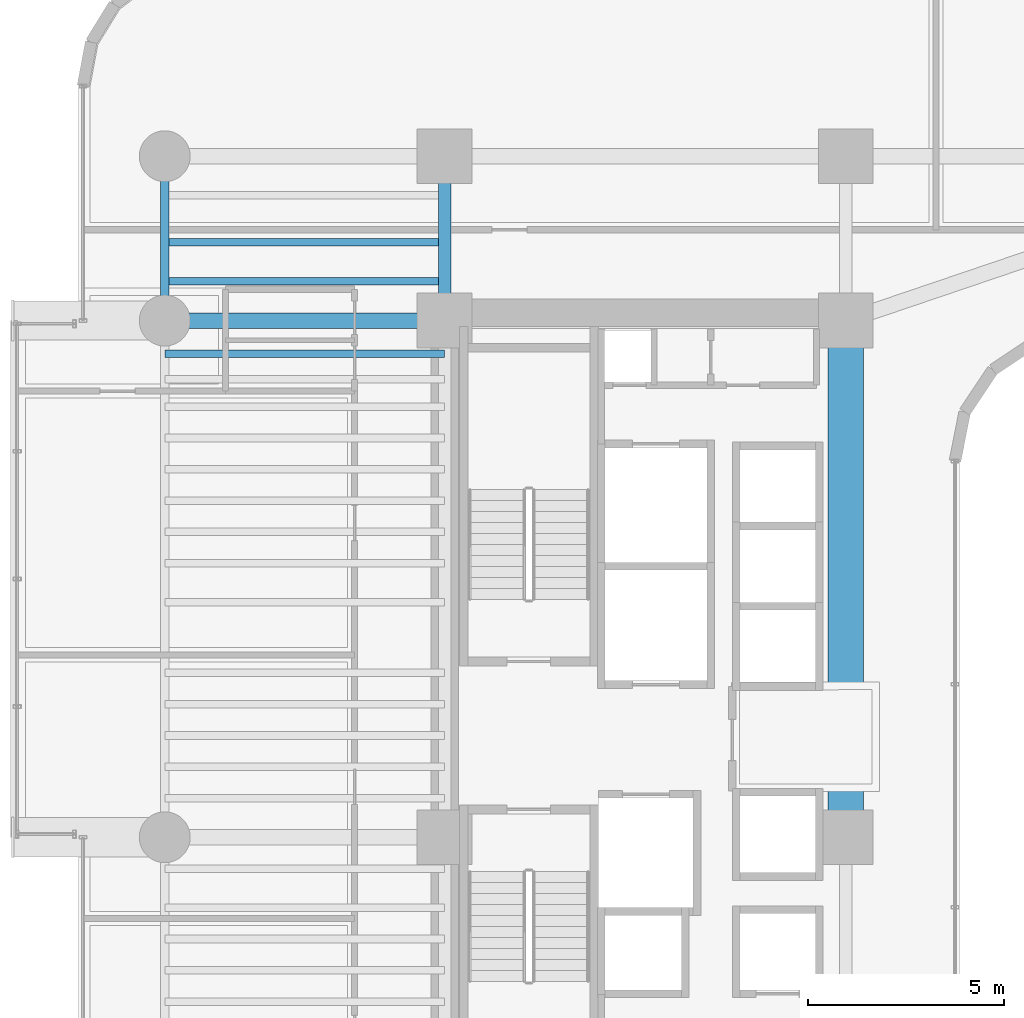
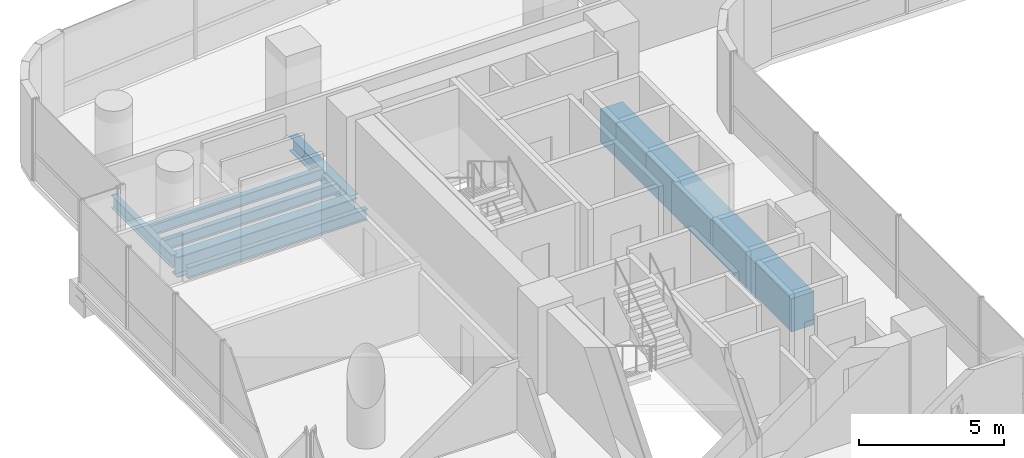
# One storey, part 9 of 39: 7 beams.
"""IFC4 building model written with IfcOpenShell, lengths in metres."""

import ifcopenshell
import ifcopenshell.guid

model = None  # the IFC model being written
_history = None  # IfcOwnerHistory: only IFC2X3 demands one
_inside = {}  # id of a spatial element -> (the spatial element, [elements in it])
_under = {}  # id of a project, library or spatial element -> (it, [spatial elements below it])
_declared = {}  # id of a project -> (the project, [libraries it declares])
_typed = {}  # id of a type object -> (the type object, [elements of that type])
_made_of = {}  # id of a material, layer set ... -> (it, [elements and type objects made of it])


def new_model(schema):
    """Start an empty IFC model of exactly this schema.

    Asked for "IFC4X3", IfcOpenShell would pick the latest addendum, in which some entities
    have other attributes; the version numbers below select the first issue.
    IFC2X3 requires an IfcOwnerHistory on every rooted entity: one is made here for all.
    """
    global model, _history
    if schema == "IFC4X3":
        model = ifcopenshell.file(schema_version=(4, 3, 0, 0))
    else:
        model = ifcopenshell.file(schema=schema)
    _inside.clear()
    _under.clear()
    _declared.clear()
    _typed.clear()
    _made_of.clear()
    _history = None
    if model.schema == "IFC2X3":
        org = make("IfcOrganization", Name="unknown")
        user = make(
            "IfcPersonAndOrganization",
            ThePerson=make("IfcPerson", FamilyName="unknown"),
            TheOrganization=org,
        )
        app = make(
            "IfcApplication",
            ApplicationDeveloper=org,
            Version="unknown",
            ApplicationFullName="unknown",
            ApplicationIdentifier="unknown",
        )
        _history = make(
            "IfcOwnerHistory",
            OwningUser=user,
            OwningApplication=app,
            ChangeAction="ADDED",
            CreationDate=0,
        )
    return model


def make(cls, **values):
    """One entity of the class cls with the attributes given. An attribute that is None is left unset."""
    return model.create_entity(
        cls, **{name: value for name, value in values.items() if value is not None}
    )


def rooted(cls, **values):
    """An entity with a GlobalId (a new one), such as an element, a storey or a relation."""
    return make(cls, GlobalId=ifcopenshell.guid.new(), OwnerHistory=_history, **values)


def si_unit(unit_type, name, prefix=None):
    """IfcSIUnit, for example si_unit("LENGTHUNIT", "METRE", prefix="MILLI")."""
    return make("IfcSIUnit", UnitType=unit_type, Prefix=prefix, Name=name)


def assignment(units):
    """IfcUnitAssignment: the units of a project."""
    return None if units is None else make("IfcUnitAssignment", Units=units)


def point(xyz):
    """IfcCartesianPoint."""
    return None if xyz is None else make("IfcCartesianPoint", Coordinates=xyz)


def direction(xyz):
    """IfcDirection."""
    return None if xyz is None else make("IfcDirection", DirectionRatios=xyz)


def frame(location, z_axis=None, x_axis=None):
    """IfcAxis2Placement3D, a coordinate frame: its origin and axes. An axis left out is left unset."""
    return make(
        "IfcAxis2Placement3D",
        Location=point(location),
        Axis=direction(z_axis),
        RefDirection=direction(x_axis),
    )


def frame_2d(location, x_axis=None):
    """IfcAxis2Placement2D, a coordinate frame in the plane: its origin and x axis."""
    return make(
        "IfcAxis2Placement2D", Location=point(location), RefDirection=direction(x_axis)
    )


def origin():
    """The frame at (0, 0, 0) with its axes left unset."""
    return frame((0.0, 0.0, 0.0))


def origin_2d():
    """The frame at (0, 0) in the plane with its x axis left unset."""
    return frame_2d((0.0, 0.0))


def place(relative_to, where):
    """IfcLocalPlacement: puts the frame where relative to a parent placement (None: the world)."""
    return make(
        "IfcLocalPlacement", PlacementRelTo=relative_to, RelativePlacement=where
    )


def context(
    kind, dimensions, precision=None, world=None, true_north=None, identifier=None
):
    """IfcGeometricRepresentationContext, for example the 3D "Model" context."""
    return make(
        "IfcGeometricRepresentationContext",
        ContextIdentifier=identifier,
        ContextType=kind,
        CoordinateSpaceDimension=dimensions,
        Precision=precision,
        WorldCoordinateSystem=world,
        TrueNorth=true_north,
    )


def subcontext(parent, identifier, kind, view, scale=None):
    """IfcGeometricRepresentationSubContext, for example "Body" below "Model"."""
    return make(
        "IfcGeometricRepresentationSubContext",
        ContextIdentifier=identifier,
        ContextType=kind,
        ParentContext=parent,
        TargetScale=scale,
        TargetView=view,
    )


def project(units=None, contexts=None):
    """IfcProject with its units and contexts."""
    return rooted(
        "IfcProject",
        Name="project",
        RepresentationContexts=contexts,
        UnitsInContext=assignment(units),
    )


def spatial(cls, under=None, at=None, **own):
    """A site, building, storey or space (cls), placed at a placement, below another one or the project."""
    s = rooted(cls, ObjectPlacement=at, **own)
    if under is not None:
        _under.setdefault(under.id(), (under, []))[1].append(s)
    return s


def profile(cls, at=None, kind="AREA", **sizes):
    """A parametric profile (cls). Its sizes go by their IFC names, for example OverallWidth=200.0."""
    return make(cls, ProfileType=kind, Position=at, **sizes)


def rectangle(**sizes):
    """IfcRectangleProfileDef."""
    return profile("IfcRectangleProfileDef", **sizes)


def i_section(**sizes):
    """IfcIShapeProfileDef."""
    return profile("IfcIShapeProfileDef", **sizes)


def extrude(swept, where, along, depth):
    """IfcExtrudedAreaSolid: the profile swept, set in the frame where, extruded along a direction by depth."""
    return make(
        "IfcExtrudedAreaSolid",
        SweptArea=swept,
        Position=where,
        ExtrudedDirection=direction(along),
        Depth=depth,
    )


def shape(context_of_items, identifier, shape_type, items):
    """IfcShapeRepresentation: the items that make up one representation, for example the "Body"."""
    return make(
        "IfcShapeRepresentation",
        ContextOfItems=context_of_items,
        RepresentationIdentifier=identifier,
        RepresentationType=shape_type,
        Items=items,
    )


def source(mapping_origin, context_of_items, identifier, shape_type, items):
    """IfcRepresentationMap: a shape defined once, which mapped items show again and again."""
    return make(
        "IfcRepresentationMap",
        MappingOrigin=mapping_origin,
        MappedRepresentation=shape(context_of_items, identifier, shape_type, items),
    )


def transform(
    local_origin,
    x_axis=None,
    y_axis=None,
    z_axis=None,
    scale=None,
    scale2=None,
    scale3=None,
    uniform=True,
):
    """IfcCartesianTransformationOperator3D, or its non-uniform kind. x_axis, y_axis, z_axis: its Axis1, 2, 3."""
    if uniform:
        return make(
            "IfcCartesianTransformationOperator3D",
            Axis1=direction(x_axis),
            Axis2=direction(y_axis),
            LocalOrigin=point(local_origin),
            Scale=scale,
            Axis3=direction(z_axis),
        )
    return make(
        "IfcCartesianTransformationOperator3DnonUniform",
        Axis1=direction(x_axis),
        Axis2=direction(y_axis),
        LocalOrigin=point(local_origin),
        Scale=scale,
        Axis3=direction(z_axis),
        Scale2=scale2,
        Scale3=scale3,
    )


def mapped(mapping_source, mapping_target):
    """IfcMappedItem: shows the shape of a source again, moved by a transform."""
    return make(
        "IfcMappedItem", MappingSource=mapping_source, MappingTarget=mapping_target
    )


def material(Name=None, Category=None):
    """IfcMaterial."""
    return make("IfcMaterial", Name=Name, Category=Category)


def material_profile(
    of_material, cross_section, Name=None, Category=None, Priority=None
):
    """IfcMaterialProfile: a cross section and its material."""
    return make(
        "IfcMaterialProfile",
        Name=Name,
        Material=of_material,
        Profile=cross_section,
        Priority=Priority,
        Category=Category,
    )


def profile_set(profiles, Name=None, composite=None):
    """IfcMaterialProfileSet."""
    return make(
        "IfcMaterialProfileSet",
        Name=Name,
        MaterialProfiles=profiles,
        CompositeProfile=composite,
    )


def made_of(thing, what):
    """Note that an element or type object is made of a material, layer set ...; save() writes the relation."""
    if what is not None:
        _made_of.setdefault(what.id(), (what, []))[1].append(thing)
    return thing


def type_object(cls, material=None, **own):
    """A type object (cls), such as IfcWallType, which elements share."""
    return made_of(rooted(cls, **own), material)


def element(
    cls,
    number,
    at=None,
    inside=None,
    cuts=None,
    type_object=None,
    material=None,
    context=None,
    identifier="Body",
    shape_type=None,
    held_by="IfcProductDefinitionShape",
    body=None,
    shapes=None,
    **own,
):
    """One element of the class cls, such as IfcWall. Its Tag is "e" and its number.

    at: its placement. inside: the storey or other place that contains it. cuts: it is an
    opening in that element (IfcRelVoidsElement). A single representation is given by context,
    identifier, shape_type and body (its items); several are given by shapes. held_by: the class
    of the entity that holds the representations. save() writes the other relations.
    """
    e = rooted(cls, Tag="e%d" % number, ObjectPlacement=at, **own)
    if body is not None:
        shapes = [shape(context, identifier, shape_type, body)]
    if shapes is not None:
        e.Representation = make(held_by, Representations=shapes)
    if inside is not None:
        _inside.setdefault(inside.id(), (inside, []))[1].append(e)
    if cuts is not None:
        rooted(
            "IfcRelVoidsElement", RelatingBuildingElement=cuts, RelatedOpeningElement=e
        )
    if type_object is not None:
        _typed.setdefault(type_object.id(), (type_object, []))[1].append(e)
    return made_of(e, material)


def aggregate(whole, parts):
    """IfcRelAggregates: a whole, such as a stair, and the parts it consists of."""
    return rooted("IfcRelAggregates", RelatingObject=whole, RelatedObjects=parts)


def save(model, path):
    """Write the relations noted so far, then the file.

    IfcRelAggregates (storeys below a building ...), IfcRelContainedInSpatialStructure (elements
    in a storey), IfcRelDefinesByType, IfcRelAssociatesMaterial and IfcRelDeclares: one each for
    every whole, place, type object, material and project.
    """
    for whole, parts in _under.values():
        aggregate(whole, parts)
    for where, things in _inside.values():
        rooted(
            "IfcRelContainedInSpatialStructure",
            RelatedElements=things,
            RelatingStructure=where,
        )
    for kind, things in _typed.values():
        rooted("IfcRelDefinesByType", RelatedObjects=things, RelatingType=kind)
    for what, things in _made_of.values():
        rooted("IfcRelAssociatesMaterial", RelatedObjects=things, RelatingMaterial=what)
    for by, libraries in _declared.values():
        rooted("IfcRelDeclares", RelatingContext=by, RelatedDefinitions=libraries)
    model.write(path)


model = new_model("IFC4")

# Units and contexts
model_context = context("Model", 3, precision=1e-05, world=origin(), true_north=direction((0.0, 1.0)))
body_context = subcontext(model_context, "Body", "Model", "MODEL_VIEW")
ifc_project = project(units=[si_unit("LENGTHUNIT", "METRE"), si_unit("AREAUNIT", "SQUARE_METRE"), si_unit("VOLUMEUNIT", "CUBIC_METRE"), si_unit("PLANEANGLEUNIT", "RADIAN"), si_unit("MASSUNIT", "GRAM", prefix="KILO")], contexts=[model_context])

# Site, building, storey
site_placement = place(None, origin())
site = spatial("IfcSite", under=ifc_project, at=site_placement, CompositionType="ELEMENT")
building_placement = place(site_placement, origin())
building = spatial("IfcBuilding", under=site, at=building_placement, Name="Valdorenza Pilgrim Sanctuary Tower", CompositionType="ELEMENT")
storey_placement = place(building_placement, frame((0.0, 0.0, 74.10009765625)))
storey = spatial("IfcBuildingStorey", under=building, at=storey_placement, Name="L18", CompositionType="ELEMENT", Elevation=74.10009765625)

# Beams
ifc_material_1 = material(Name="Concrete C60/75", Category="concrete")
ifc_material_profile_1 = material_profile(ifc_material_1, rectangle(XDim=0.89990234375, YDim=1.39990234375, at=origin_2d()), Name="RC 1400x900")
ifc_profile_set_1 = profile_set([ifc_material_profile_1], Name="Concrete C60/75")
beam_type_1 = type_object("IfcBeamType", Name="STR-BM-LNT-1400", PredefinedType="LINTEL", material=ifc_profile_set_1)
shared_shape_1 = source(origin(), body_context, "Body", "SweptSolid", [
    extrude(rectangle(XDim=0.89990234375, YDim=1.39990234375, at=origin_2d()), origin(), (0.0, 0.0, 1.0), 13.2001953125),
])
beam_1_placement = place(storey_placement, frame((-12.39990234375, -2.60009765625, -0.739990234375), z_axis=(0.0, 1.0, 0.0), x_axis=(-1.0, 0.0, 0.0)))
element("IfcBeam", 1, at=beam_1_placement, inside=storey, type_object=beam_type_1, Name="L18 Core A Coupling Lintel Girder", PredefinedType="LINTEL", context=body_context, shape_type="MappedRepresentation", body=[
    mapped(shared_shape_1, transform((0.0, 0.0, 0.0), x_axis=(1.0, 0.0, 0.0), y_axis=(0.0, 1.0, 0.0), z_axis=(0.0, 0.0, 1.0), scale=1.0)),
])
ifc_material_2 = material(Name="Steel ASTM A992 Grade 50", Category="steel")
ifc_material_profile_2 = material_profile(ifc_material_2, i_section(OverallWidth=0.214111328125, OverallDepth=0.549072265625, WebThickness=0.0146484375, FlangeThickness=0.023681640625, at=origin_2d()), Name="W21X93")
ifc_profile_set_2 = profile_set([ifc_material_profile_2], Name="Steel ASTM A992 Grade 50")
beam_type_2 = type_object("IfcBeamType", Name="STR-BM-SPN-W21A", PredefinedType="SPANDREL", material=ifc_profile_set_2)
shared_shape_2 = source(origin(), body_context, "Body", "SweptSolid", [
    extrude(i_section(OverallWidth=0.214111328125, OverallDepth=0.549072265625, WebThickness=0.0146484375, FlangeThickness=0.023681640625, at=origin_2d()), origin(), (0.0, 0.0, 1.0), 4.199951171875),
])
beam_2_placement = place(storey_placement, frame((-29.800048828125, 10.60009765625, -0.5146484375), z_axis=(0.0, 1.0, 0.0), x_axis=(-1.0, 0.0, 0.0)))
element("IfcBeam", 2, at=beam_2_placement, inside=storey, type_object=beam_type_2, Name="L18 Spandrel Beam WA-W-N1N2", PredefinedType="SPANDREL", context=body_context, shape_type="MappedRepresentation", body=[
    mapped(shared_shape_2, transform((0.0, 0.0, 0.0), x_axis=(1.0, 0.0, 0.0), y_axis=(0.0, 1.0, 0.0), z_axis=(0.0, 0.0, 1.0), scale=1.0)),
])
ifc_material_profile_3 = material_profile(ifc_material_2, i_section(OverallWidth=0.323974609375, OverallDepth=0.611083984375, WebThickness=0.0126953125, FlangeThickness=0.01904296875, at=origin_2d()), Name="W24X104")
ifc_profile_set_3 = profile_set([ifc_material_profile_3], Name="Steel ASTM A992 Grade 50")
beam_type_3 = type_object("IfcBeamType", Name="STR-BM-GRD-W24B", PredefinedType="BEAM", material=ifc_profile_set_3)
shared_shape_3 = source(origin(), body_context, "Body", "SweptSolid", [
    extrude(i_section(OverallWidth=0.323974609375, OverallDepth=0.611083984375, WebThickness=0.0126953125, FlangeThickness=0.01904296875, at=origin_2d()), origin(), (0.0, 0.0, 1.0), 4.199951171875),
])
beam_3_placement = place(storey_placement, frame((-22.64990234375, 10.60009765625, -0.545654296875), z_axis=(0.0, 1.0, 0.0), x_axis=(-1.0, 0.0, 0.0)))
element("IfcBeam", 3, at=beam_3_placement, inside=storey, type_object=beam_type_3, Name="L18 Core Tie Girder CA-W-N1N2", PredefinedType="BEAM", context=body_context, shape_type="MappedRepresentation", body=[
    mapped(shared_shape_3, transform((0.0, 0.0, 0.0), x_axis=(1.0, 0.0, 0.0), y_axis=(0.0, 1.0, 0.0), z_axis=(0.0, 0.0, 1.0), scale=1.0)),
])
ifc_material_profile_4 = material_profile(ifc_material_2, i_section(OverallWidth=0.193115234375, OverallDepth=0.466064453125, WebThickness=0.011474609375, FlangeThickness=0.01904296875, at=origin_2d()), Name="W18X65")
ifc_profile_set_4 = profile_set([ifc_material_profile_4], Name="Steel ASTM A992 Grade 50")
beam_type_4 = type_object("IfcBeamType", Name="STR-BM-JST-W18A", PredefinedType="JOIST", material=ifc_profile_set_4)
shared_shape_4 = source(origin(), body_context, "Body", "SweptSolid", [
    extrude(i_section(OverallWidth=0.193115234375, OverallDepth=0.466064453125, WebThickness=0.011474609375, FlangeThickness=0.01904296875, at=origin_2d()), origin(), (0.0, 0.0, 1.0), 7.150146484375),
])
for number, where, z_axis, x_axis, name in (
    (4, (-29.800048828125, 9.75, -0.47314453125), (1.0, 0.0, 0.0), (0.0, 1.0, 0.0), "L18 Composite Floor Joist JST-WA-23"),
    (5, (-29.800048828125, 11.60009765625, -0.47314453125), (1.0, 0.0, 0.0), (0.0, 1.0, 0.0), "L18 Composite Floor Joist JST-WA-24"),
    (6, (-29.800048828125, 12.60009765625, -0.47314453125), (1.0, 0.0, 0.0), (0.0, 1.0, 0.0), "L18 Composite Floor Joist JST-WA-25"),
):
    element("IfcBeam", number, at=place(storey_placement, frame(where, z_axis=z_axis, x_axis=x_axis)), inside=storey, type_object=beam_type_4, Name=name, PredefinedType="JOIST", context=body_context, shape_type="MappedRepresentation", body=[
        mapped(shared_shape_4, transform((0.0, 0.0, 0.0), x_axis=(1.0, 0.0, 0.0), y_axis=(0.0, 1.0, 0.0), z_axis=(0.0, 0.0, 1.0), scale=1.0)),
    ])
ifc_material_profile_5 = material_profile(ifc_material_2, i_section(OverallWidth=0.39990234375, OverallDepth=0.862060546875, WebThickness=0.019775390625, FlangeThickness=0.032470703125, at=origin_2d()), Name="W33X221")
ifc_profile_set_5 = profile_set([ifc_material_profile_5], Name="Steel ASTM A992 Grade 50")
beam_type_5 = type_object("IfcBeamType", Name="STR-BM-GRD-W33", PredefinedType="BEAM", material=ifc_profile_set_5)
shared_shape_5 = source(origin(), body_context, "Body", "SweptSolid", [
    extrude(i_section(OverallWidth=0.39990234375, OverallDepth=0.862060546875, WebThickness=0.019775390625, FlangeThickness=0.032470703125, at=origin_2d()), origin(), (0.0, 0.0, 1.0), 7.150146484375),
])
beam_4_placement = place(storey_placement, frame((-29.800048828125, 10.60009765625, -0.671142578125), z_axis=(1.0, 0.0, 0.0), x_axis=(0.0, 1.0, 0.0)))
element("IfcBeam", 7, at=beam_4_placement, inside=storey, type_object=beam_type_5, Name="L18 Floor Girder WA-XW-N1", PredefinedType="BEAM", context=body_context, shape_type="MappedRepresentation", body=[
    mapped(shared_shape_5, transform((0.0, 0.0, 0.0), x_axis=(1.0, 0.0, 0.0), y_axis=(0.0, 1.0, 0.0), z_axis=(0.0, 0.0, 1.0), scale=1.0)),
])

save(model, "model.ifc")
